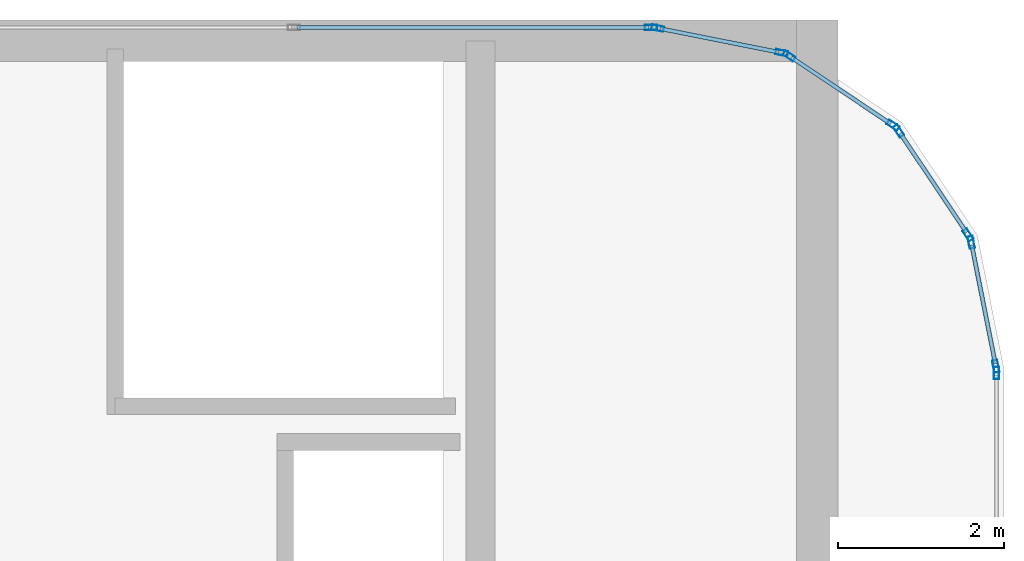
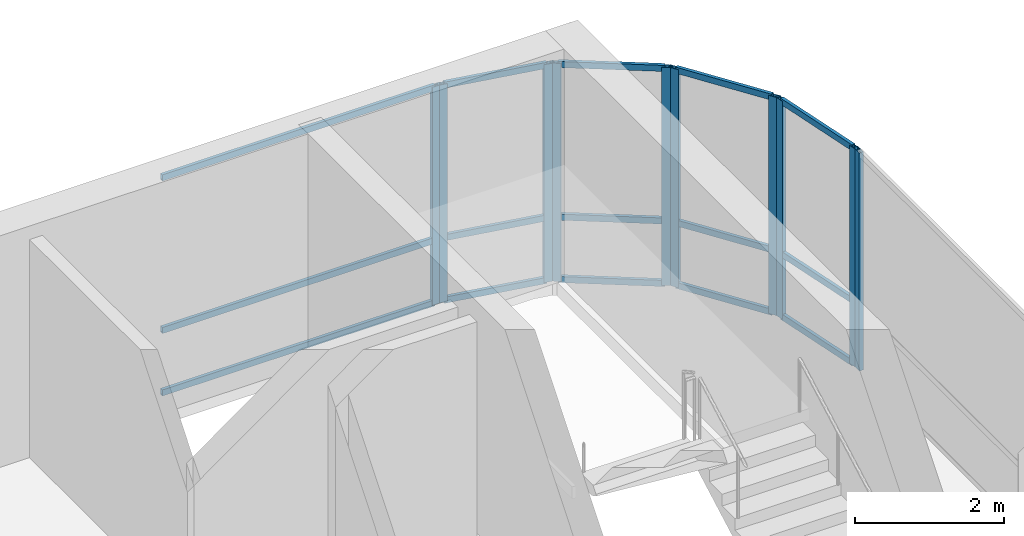
# One storey, part 28 of 36: 25 members, 6 elements without a shape of their own.
"""IFC4 building model written with IfcOpenShell, lengths in metres."""

from ifc_helpers import new_model, si_unit, direction, frame, origin, origin_2d, place, context, subcontext, project, spatial, hollow_rectangle, extrude, source, transform, mapped, material, layer, layer_set, material_profile, profile_set, type_object, type_shapes, element, aggregate, save


model = new_model("IFC4")

# Units and contexts
model_context = context("Model", 3, precision=1e-05, world=origin(), true_north=direction((0.0, 1.0)))
body_context = subcontext(model_context, "Body", "Model", "MODEL_VIEW")
ifc_project = project(units=[si_unit("LENGTHUNIT", "METRE"), si_unit("AREAUNIT", "SQUARE_METRE"), si_unit("VOLUMEUNIT", "CUBIC_METRE"), si_unit("PLANEANGLEUNIT", "RADIAN"), si_unit("MASSUNIT", "GRAM", prefix="KILO")], contexts=[model_context])

# Site, building, storey
site_placement = place(None, origin())
site = spatial("IfcSite", under=ifc_project, at=site_placement, CompositionType="ELEMENT")
building_placement = place(site_placement, origin())
building = spatial("IfcBuilding", under=site, at=building_placement, Name="Tolvann Quenvar Hotel", CompositionType="ELEMENT")
storey_placement = place(building_placement, frame((0.0, 0.0, 302.35009765625)))
storey = spatial("IfcBuildingStorey", under=building, at=storey_placement, Name="L80", CompositionType="ELEMENT", Elevation=302.35009765625)

# Curtain wall, members
ifc_material_1 = material(Name="Thermally broken anodised architectural aluminium 6063-T6 and laminated low-E glass", Category="aluminium")
ifc_layer = layer(ifc_material_1, 0.179931640625)
ifc_layer_set = layer_set([ifc_layer], Name="Thermally broken anodised architectural aluminium 6063-T6 and laminated low-E glass")
curtain_wall_type = type_object("IfcCurtainWallType", Name="CW_SYS_LANT_06", PredefinedType="USERDEFINED", material=ifc_layer_set)
curtain_wall_1_placement = place(storey_placement, origin())
curtain_wall_1 = element("IfcCurtainWall", 1, at=curtain_wall_1_placement, inside=storey, type_object=curtain_wall_type, Name="Curtain Wall CW-LANT-06 (CWR-L80-E11)", ObjectType="UNITISED CURTAIN WALL", PredefinedType="USERDEFINED")
ifc_material_2 = material(Name="Anodised architectural aluminium 6063-T6 framing", Category="aluminium")
ifc_material_profile_1 = material_profile(ifc_material_2, hollow_rectangle(XDim=0.050048828125, YDim=0.10009765625, WallThickness=0.0029296875, at=origin_2d()), Name="100x50x3RHS")
ifc_profile_set_1 = profile_set([ifc_material_profile_1], Name="Anodised architectural aluminium 6063-T6 framing")
member_type_1 = type_object("IfcMemberType", Name="CW_TRAN_100x50", PredefinedType="USERDEFINED", material=ifc_profile_set_1)
shared_shape_1 = source(origin(), body_context, "Body", "SweptSolid", [
    extrude(hollow_rectangle(XDim=0.050048828125, YDim=0.10009765625, WallThickness=0.0029296875, at=origin_2d()), origin(), (0.0, 0.0, 1.0), 1.439208984375),
])
member_1_placement = place(storey_placement, frame((37.550048828125, 41.64013671875, 0.02490234375), z_axis=(-0.555600315839, 0.831449510818, 0.0), x_axis=(-0.831449510818, -0.555600315839, 0.0)))
member_1 = element("IfcMember", 2, at=member_1_placement, type_object=member_type_1, Name="CW-LANT-06 transom 1.1", ObjectType="TRANSOM", PredefinedType="USERDEFINED", context=body_context, shape_type="MappedRepresentation", body=[
    mapped(shared_shape_1, transform((0.0, 0.0, 0.0), x_axis=(1.0, 0.0, 0.0), y_axis=(0.0, 1.0, 0.0), z_axis=(0.0, 0.0, 1.0), scale=1.0)),
])
member_2_placement = place(storey_placement, frame((37.550048828125, 41.64013671875, 1.0498046875), z_axis=(-0.555600315839, 0.831449510818, 0.0), x_axis=(-0.831449510818, -0.555600315839, 0.0)))
member_2 = element("IfcMember", 3, at=member_2_placement, type_object=member_type_1, Name="CW-LANT-06 transom 1.2", ObjectType="TRANSOM", PredefinedType="USERDEFINED", context=body_context, shape_type="MappedRepresentation", body=[
    mapped(shared_shape_1, transform((0.0, 0.0, 0.0), x_axis=(1.0, 0.0, 0.0), y_axis=(0.0, 1.0, 0.0), z_axis=(0.0, 0.0, 1.0), scale=1.0)),
])
member_3_placement = place(storey_placement, frame((37.550048828125, 41.64013671875, 3.554931640625), z_axis=(-0.555600315839, 0.831449510818, 0.0), x_axis=(-0.831449510818, -0.555600315839, 0.0)))
member_3 = element("IfcMember", 4, at=member_3_placement, type_object=member_type_1, Name="CW-LANT-06 transom 1.3", ObjectType="TRANSOM", PredefinedType="USERDEFINED", context=body_context, shape_type="MappedRepresentation", body=[
    mapped(shared_shape_1, transform((0.0, 0.0, 0.0), x_axis=(1.0, 0.0, 0.0), y_axis=(0.0, 1.0, 0.0), z_axis=(0.0, 0.0, 1.0), scale=1.0)),
])

curtain_wall_2_placement = place(storey_placement, origin())
curtain_wall_2 = element("IfcCurtainWall", 5, at=curtain_wall_2_placement, inside=storey, type_object=curtain_wall_type, Name="Curtain Wall CW-LANT-06 (CWR-L80-E12)", ObjectType="UNITISED CURTAIN WALL", PredefinedType="USERDEFINED")
member_4_placement = place(storey_placement, frame((36.63671875, 42.950439453125, 0.02490234375), z_axis=(-0.831449510818, 0.555600315839, 0.0), x_axis=(-0.555600315839, -0.831449510818, 0.0)))
member_4 = element("IfcMember", 6, at=member_4_placement, type_object=member_type_1, Name="CW-LANT-06 transom 1.1", ObjectType="TRANSOM", PredefinedType="USERDEFINED", context=body_context, shape_type="MappedRepresentation", body=[
    mapped(shared_shape_1, transform((0.0, 0.0, 0.0), x_axis=(1.0, 0.0, 0.0), y_axis=(0.0, 1.0, 0.0), z_axis=(0.0, 0.0, 1.0), scale=1.0)),
])
member_5_placement = place(storey_placement, frame((36.63671875, 42.950439453125, 1.0498046875), z_axis=(-0.831449510818, 0.555600315839, 0.0), x_axis=(-0.555600315839, -0.831449510818, 0.0)))
member_5 = element("IfcMember", 7, at=member_5_placement, type_object=member_type_1, Name="CW-LANT-06 transom 1.2", ObjectType="TRANSOM", PredefinedType="USERDEFINED", context=body_context, shape_type="MappedRepresentation", body=[
    mapped(shared_shape_1, transform((0.0, 0.0, 0.0), x_axis=(1.0, 0.0, 0.0), y_axis=(0.0, 1.0, 0.0), z_axis=(0.0, 0.0, 1.0), scale=1.0)),
])
member_6_placement = place(storey_placement, frame((36.63671875, 42.950439453125, 3.554931640625), z_axis=(-0.831449510818, 0.555600315839, 0.0), x_axis=(-0.555600315839, -0.831449510818, 0.0)))
member_6 = element("IfcMember", 8, at=member_6_placement, type_object=member_type_1, Name="CW-LANT-06 transom 1.3", ObjectType="TRANSOM", PredefinedType="USERDEFINED", context=body_context, shape_type="MappedRepresentation", body=[
    mapped(shared_shape_1, transform((0.0, 0.0, 0.0), x_axis=(1.0, 0.0, 0.0), y_axis=(0.0, 1.0, 0.0), z_axis=(0.0, 0.0, 1.0), scale=1.0)),
])

curtain_wall_3_placement = place(storey_placement, origin())
curtain_wall_3 = element("IfcCurtainWall", 9, at=curtain_wall_3_placement, inside=storey, type_object=curtain_wall_type, Name="Curtain Wall CW-LANT-06 (CWR-L80-E10)", ObjectType="UNITISED CURTAIN WALL", PredefinedType="USERDEFINED")
shared_shape_2 = source(origin(), body_context, "Body", "SweptSolid", [
    extrude(hollow_rectangle(XDim=0.050048828125, YDim=0.10009765625, WallThickness=0.0029296875, at=origin_2d()), origin(), (0.0, 0.0, 1.0), 1.456787109375),
])
member_7_placement = place(storey_placement, frame((37.895751953125, 40.063232421875, 0.02490234375), z_axis=(-0.195084651288, 0.980786408364, 0.0), x_axis=(-0.980786408364, -0.195084651288, 0.0)))
member_7 = element("IfcMember", 10, at=member_7_placement, type_object=member_type_1, Name="CW-LANT-06 transom 1.1", ObjectType="TRANSOM", PredefinedType="USERDEFINED", context=body_context, shape_type="MappedRepresentation", body=[
    mapped(shared_shape_2, transform((0.0, 0.0, 0.0), x_axis=(1.0, 0.0, 0.0), y_axis=(0.0, 1.0, 0.0), z_axis=(0.0, 0.0, 1.0), scale=1.0)),
])
member_8_placement = place(storey_placement, frame((37.895751953125, 40.063232421875, 1.0498046875), z_axis=(-0.195084651288, 0.980786408364, 0.0), x_axis=(-0.980786408364, -0.195084651288, 0.0)))
member_8 = element("IfcMember", 11, at=member_8_placement, type_object=member_type_1, Name="CW-LANT-06 transom 1.2", ObjectType="TRANSOM", PredefinedType="USERDEFINED", context=body_context, shape_type="MappedRepresentation", body=[
    mapped(shared_shape_2, transform((0.0, 0.0, 0.0), x_axis=(1.0, 0.0, 0.0), y_axis=(0.0, 1.0, 0.0), z_axis=(0.0, 0.0, 1.0), scale=1.0)),
])
member_9_placement = place(storey_placement, frame((37.895751953125, 40.063232421875, 3.554931640625), z_axis=(-0.195084651288, 0.980786408364, 0.0), x_axis=(-0.980786408364, -0.195084651288, 0.0)))
member_9 = element("IfcMember", 12, at=member_9_placement, type_object=member_type_1, Name="CW-LANT-06 transom 1.3", ObjectType="TRANSOM", PredefinedType="USERDEFINED", context=body_context, shape_type="MappedRepresentation", body=[
    mapped(shared_shape_2, transform((0.0, 0.0, 0.0), x_axis=(1.0, 0.0, 0.0), y_axis=(0.0, 1.0, 0.0), z_axis=(0.0, 0.0, 1.0), scale=1.0)),
])

curtain_wall_4_placement = place(storey_placement, origin())
curtain_wall_4 = element("IfcCurtainWall", 13, at=curtain_wall_4_placement, inside=storey, type_object=curtain_wall_type, Name="Curtain Wall CW-LANT-06 (CWR-L80-E13)", ObjectType="UNITISED CURTAIN WALL", PredefinedType="USERDEFINED")
member_10_placement = place(storey_placement, frame((35.291748046875, 43.8115234375, 0.02490234375), z_axis=(-0.980786408364, 0.195084651288, 0.0), x_axis=(-0.195084651288, -0.980786408364, 0.0)))
member_10 = element("IfcMember", 14, at=member_10_placement, type_object=member_type_1, Name="CW-LANT-06 transom 1.1", ObjectType="TRANSOM", PredefinedType="USERDEFINED", context=body_context, shape_type="MappedRepresentation", body=[
    mapped(shared_shape_2, transform((0.0, 0.0, 0.0), x_axis=(1.0, 0.0, 0.0), y_axis=(0.0, 1.0, 0.0), z_axis=(0.0, 0.0, 1.0), scale=1.0)),
])
member_11_placement = place(storey_placement, frame((35.291748046875, 43.8115234375, 1.0498046875), z_axis=(-0.980786408364, 0.195084651288, 0.0), x_axis=(-0.195084651288, -0.980786408364, 0.0)))
member_11 = element("IfcMember", 15, at=member_11_placement, type_object=member_type_1, Name="CW-LANT-06 transom 1.2", ObjectType="TRANSOM", PredefinedType="USERDEFINED", context=body_context, shape_type="MappedRepresentation", body=[
    mapped(shared_shape_2, transform((0.0, 0.0, 0.0), x_axis=(1.0, 0.0, 0.0), y_axis=(0.0, 1.0, 0.0), z_axis=(0.0, 0.0, 1.0), scale=1.0)),
])
member_12_placement = place(storey_placement, frame((35.291748046875, 43.8115234375, 3.554931640625), z_axis=(-0.980786408364, 0.195084651288, 0.0), x_axis=(-0.195084651288, -0.980786408364, 0.0)))
member_12 = element("IfcMember", 16, at=member_12_placement, type_object=member_type_1, Name="CW-LANT-06 transom 1.3", ObjectType="TRANSOM", PredefinedType="USERDEFINED", context=body_context, shape_type="MappedRepresentation", body=[
    mapped(shared_shape_2, transform((0.0, 0.0, 0.0), x_axis=(1.0, 0.0, 0.0), y_axis=(0.0, 1.0, 0.0), z_axis=(0.0, 0.0, 1.0), scale=1.0)),
])

curtain_wall_5_placement = place(storey_placement, origin())
curtain_wall_5 = element("IfcCurtainWall", 17, at=curtain_wall_5_placement, inside=storey, type_object=curtain_wall_type, Name="Curtain Wall CW-LANT-06 (CWR-L80-E14)", ObjectType="UNITISED CURTAIN WALL", PredefinedType="USERDEFINED")
shared_shape_3 = source(origin(), body_context, "Body", "SweptSolid", [
    extrude(hollow_rectangle(XDim=0.050048828125, YDim=0.10009765625, WallThickness=0.0029296875, at=origin_2d()), origin(), (0.0, 0.0, 1.0), 4.22998046875),
])
type_shapes(member_type_1, [shared_shape_1, shared_shape_2, shared_shape_3])
member_13_placement = place(storey_placement, frame((33.7177734375, 44.110107421875, 0.02490234375), z_axis=(-1.0, 0.0, 0.0), x_axis=(0.0, -1.0, 0.0)))
member_13 = element("IfcMember", 18, at=member_13_placement, type_object=member_type_1, Name="CW-LANT-06 transom 1.1", ObjectType="TRANSOM", PredefinedType="USERDEFINED", context=body_context, shape_type="MappedRepresentation", body=[
    mapped(shared_shape_3, transform((0.0, 0.0, 0.0), x_axis=(1.0, 0.0, 0.0), y_axis=(0.0, 1.0, 0.0), z_axis=(0.0, 0.0, 1.0), scale=1.0)),
])
member_14_placement = place(storey_placement, frame((33.7177734375, 44.110107421875, 1.0498046875), z_axis=(-1.0, 0.0, 0.0), x_axis=(0.0, -1.0, 0.0)))
member_14 = element("IfcMember", 19, at=member_14_placement, type_object=member_type_1, Name="CW-LANT-06 transom 1.2", ObjectType="TRANSOM", PredefinedType="USERDEFINED", context=body_context, shape_type="MappedRepresentation", body=[
    mapped(shared_shape_3, transform((0.0, 0.0, 0.0), x_axis=(1.0, 0.0, 0.0), y_axis=(0.0, 1.0, 0.0), z_axis=(0.0, 0.0, 1.0), scale=1.0)),
])
member_15_placement = place(storey_placement, frame((33.7177734375, 44.110107421875, 3.554931640625), z_axis=(-1.0, 0.0, 0.0), x_axis=(0.0, -1.0, 0.0)))
member_15 = element("IfcMember", 20, at=member_15_placement, type_object=member_type_1, Name="CW-LANT-06 transom 1.3", ObjectType="TRANSOM", PredefinedType="USERDEFINED", context=body_context, shape_type="MappedRepresentation", body=[
    mapped(shared_shape_3, transform((0.0, 0.0, 0.0), x_axis=(1.0, 0.0, 0.0), y_axis=(0.0, 1.0, 0.0), z_axis=(0.0, 0.0, 1.0), scale=1.0)),
])

# Curtain wall, member
curtain_wall_6_placement = place(storey_placement, origin())
curtain_wall_6 = element("IfcCurtainWall", 21, at=curtain_wall_6_placement, inside=storey, type_object=curtain_wall_type, Name="Curtain Wall CW-LANT-06 (CWR-L80-E09)", ObjectType="UNITISED CURTAIN WALL", PredefinedType="USERDEFINED")
ifc_material_profile_2 = material_profile(ifc_material_2, hollow_rectangle(XDim=0.06494140625, YDim=0.14990234375, WallThickness=0.00390625, at=origin_2d()), Name="150x65x4RHS")
ifc_profile_set_2 = profile_set([ifc_material_profile_2], Name="Anodised architectural aluminium 6063-T6 framing")
member_type_2 = type_object("IfcMemberType", Name="CW_MULL_150x65", PredefinedType="MULLION", material=ifc_profile_set_2)
shared_shape_4 = source(origin(), body_context, "Body", "SweptSolid", [
    extrude(hollow_rectangle(XDim=0.06494140625, YDim=0.14990234375, WallThickness=0.00390625, at=origin_2d()), origin(), (0.0, 0.0, 1.0), 3.579833984375),
])
type_shapes(member_type_2, [shared_shape_4])
member_16_placement = place(storey_placement, frame((37.909912109375, 39.9501953125, 0.0), z_axis=(0.0, 0.0, 1.0), x_axis=(-1.0, 0.0, 0.0)))
member_16 = element("IfcMember", 22, at=member_16_placement, type_object=member_type_2, Name="CW-LANT-06 mullion 7", PredefinedType="MULLION", context=body_context, shape_type="MappedRepresentation", body=[
    mapped(shared_shape_4, transform((0.0, 0.0, 0.0), x_axis=(1.0, 0.0, 0.0), y_axis=(0.0, 1.0, 0.0), z_axis=(0.0, 0.0, 1.0), scale=1.0)),
])
aggregate(curtain_wall_6, [member_16])

# Member
member_17_placement = place(storey_placement, frame((37.902099609375, 40.03125, 0.0), z_axis=(0.0, 0.0, 1.0), x_axis=(-0.980790999222, -0.195061569369, 0.0)))
member_17 = element("IfcMember", 23, at=member_17_placement, type_object=member_type_2, Name="CW-LANT-06 mullion 1", PredefinedType="MULLION", context=body_context, shape_type="MappedRepresentation", body=[
    mapped(shared_shape_4, transform((0.0, 0.0, 0.0), x_axis=(1.0, 0.0, 0.0), y_axis=(0.0, 1.0, 0.0), z_axis=(0.0, 0.0, 1.0), scale=1.0)),
])

member_18_placement = place(storey_placement, frame((37.605224609375, 41.523681640625, 0.0), z_axis=(0.0, 0.0, 1.0), x_axis=(-0.980790999222, -0.195061569369, 0.0)))
member_18 = element("IfcMember", 24, at=member_18_placement, type_object=member_type_2, Name="CW-LANT-06 mullion 2", PredefinedType="MULLION", context=body_context, shape_type="MappedRepresentation", body=[
    mapped(shared_shape_4, transform((0.0, 0.0, 0.0), x_axis=(1.0, 0.0, 0.0), y_axis=(0.0, 1.0, 0.0), z_axis=(0.0, 0.0, 1.0), scale=1.0)),
])

aggregate(curtain_wall_3, [member_17, member_18, member_7, member_8, member_9])

member_19_placement = place(storey_placement, frame((37.568115234375, 41.61328125, 0.0), z_axis=(0.0, 0.0, 1.0), x_axis=(-0.831412452193, -0.555655769644, 0.0)))
member_19 = element("IfcMember", 25, at=member_19_placement, type_object=member_type_2, Name="CW-LANT-06 mullion 1", PredefinedType="MULLION", context=body_context, shape_type="MappedRepresentation", body=[
    mapped(shared_shape_4, transform((0.0, 0.0, 0.0), x_axis=(1.0, 0.0, 0.0), y_axis=(0.0, 1.0, 0.0), z_axis=(0.0, 0.0, 1.0), scale=1.0)),
])

member_20_placement = place(storey_placement, frame((36.732421875, 42.86376953125, 0.0), z_axis=(0.0, 0.0, 1.0), x_axis=(-0.831412452193, -0.555655769644, 0.0)))
member_20 = element("IfcMember", 26, at=member_20_placement, type_object=member_type_2, Name="CW-LANT-06 mullion 2", PredefinedType="MULLION", context=body_context, shape_type="MappedRepresentation", body=[
    mapped(shared_shape_4, transform((0.0, 0.0, 0.0), x_axis=(1.0, 0.0, 0.0), y_axis=(0.0, 1.0, 0.0), z_axis=(0.0, 0.0, 1.0), scale=1.0)),
])

aggregate(curtain_wall_1, [member_19, member_20, member_1, member_2, member_3])

member_21_placement = place(storey_placement, frame((36.663818359375, 42.932373046875, 0.0), z_axis=(0.0, 0.0, 1.0), x_axis=(-0.555655769644, -0.831412452193, 0.0)))
member_21 = element("IfcMember", 27, at=member_21_placement, type_object=member_type_2, Name="CW-LANT-06 mullion 1", PredefinedType="MULLION", context=body_context, shape_type="MappedRepresentation", body=[
    mapped(shared_shape_4, transform((0.0, 0.0, 0.0), x_axis=(1.0, 0.0, 0.0), y_axis=(0.0, 1.0, 0.0), z_axis=(0.0, 0.0, 1.0), scale=1.0)),
])

member_22_placement = place(storey_placement, frame((35.413330078125, 43.76806640625, 0.0), z_axis=(0.0, 0.0, 1.0), x_axis=(-0.555655769644, -0.831412452193, 0.0)))
member_22 = element("IfcMember", 28, at=member_22_placement, type_object=member_type_2, Name="CW-LANT-06 mullion 2", PredefinedType="MULLION", context=body_context, shape_type="MappedRepresentation", body=[
    mapped(shared_shape_4, transform((0.0, 0.0, 0.0), x_axis=(1.0, 0.0, 0.0), y_axis=(0.0, 1.0, 0.0), z_axis=(0.0, 0.0, 1.0), scale=1.0)),
])

aggregate(curtain_wall_2, [member_21, member_22, member_4, member_5, member_6])

member_23_placement = place(storey_placement, frame((35.32373046875, 43.80517578125, 0.0), z_axis=(0.0, 0.0, 1.0), x_axis=(-0.195061569369, -0.980790999222, 0.0)))
member_23 = element("IfcMember", 29, at=member_23_placement, type_object=member_type_2, Name="CW-LANT-06 mullion 1", PredefinedType="MULLION", context=body_context, shape_type="MappedRepresentation", body=[
    mapped(shared_shape_4, transform((0.0, 0.0, 0.0), x_axis=(1.0, 0.0, 0.0), y_axis=(0.0, 1.0, 0.0), z_axis=(0.0, 0.0, 1.0), scale=1.0)),
])

member_24_placement = place(storey_placement, frame((33.831298828125, 44.10205078125, 0.0), z_axis=(0.0, 0.0, 1.0), x_axis=(-0.195061569369, -0.980790999222, 0.0)))
member_24 = element("IfcMember", 30, at=member_24_placement, type_object=member_type_2, Name="CW-LANT-06 mullion 2", PredefinedType="MULLION", context=body_context, shape_type="MappedRepresentation", body=[
    mapped(shared_shape_4, transform((0.0, 0.0, 0.0), x_axis=(1.0, 0.0, 0.0), y_axis=(0.0, 1.0, 0.0), z_axis=(0.0, 0.0, 1.0), scale=1.0)),
])

aggregate(curtain_wall_4, [member_23, member_24, member_10, member_11, member_12])

member_25_placement = place(storey_placement, frame((33.750244140625, 44.110107421875, 0.0), z_axis=(0.0, 0.0, 1.0), x_axis=(0.0, -1.0, 0.0)))
member_25 = element("IfcMember", 31, at=member_25_placement, type_object=member_type_2, Name="CW-LANT-06 mullion 1", PredefinedType="MULLION", context=body_context, shape_type="MappedRepresentation", body=[
    mapped(shared_shape_4, transform((0.0, 0.0, 0.0), x_axis=(1.0, 0.0, 0.0), y_axis=(0.0, 1.0, 0.0), z_axis=(0.0, 0.0, 1.0), scale=1.0)),
])

aggregate(curtain_wall_5, [member_25, member_13, member_14, member_15])

save(model, "model.ifc")
